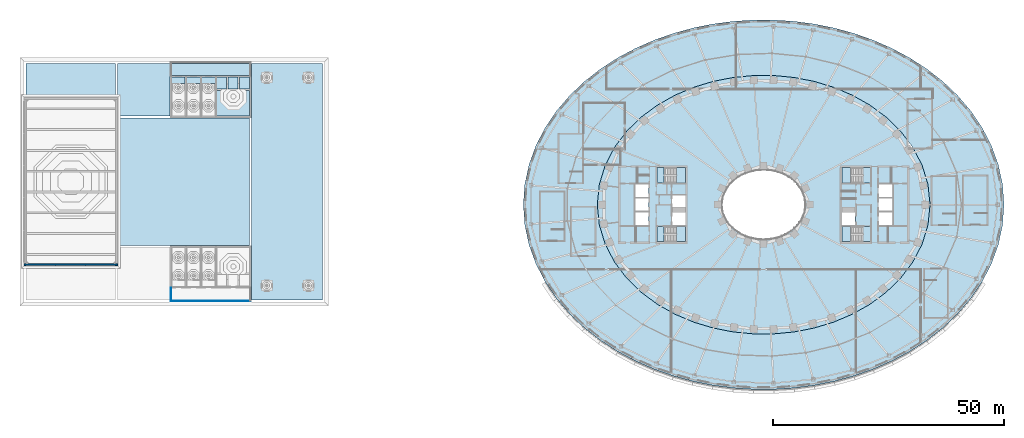
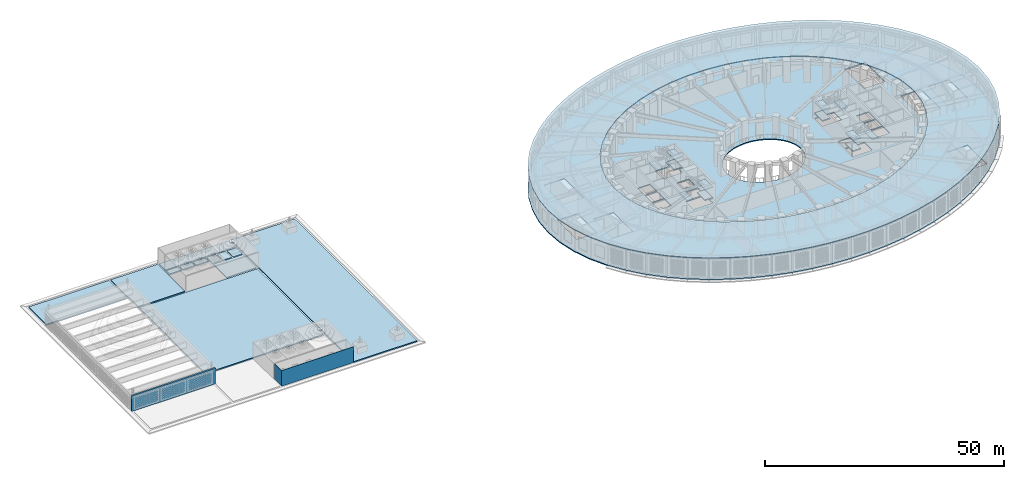
# One storey, part 6 of 63: 26 slabs, 3 walls, 4 elements without a shape of their own.
"""IFC4 building model written with IfcOpenShell, lengths in metres."""

import ifcopenshell
import ifcopenshell.guid

model = None  # the IFC model being written
_history = None  # IfcOwnerHistory: only IFC2X3 demands one
_inside = {}  # id of a spatial element -> (the spatial element, [elements in it])
_under = {}  # id of a project, library or spatial element -> (it, [spatial elements below it])
_declared = {}  # id of a project -> (the project, [libraries it declares])
_typed = {}  # id of a type object -> (the type object, [elements of that type])
_made_of = {}  # id of a material, layer set ... -> (it, [elements and type objects made of it])


def new_model(schema):
    """Start an empty IFC model of exactly this schema.

    Asked for "IFC4X3", IfcOpenShell would pick the latest addendum, in which some entities
    have other attributes; the version numbers below select the first issue.
    IFC2X3 requires an IfcOwnerHistory on every rooted entity: one is made here for all.
    """
    global model, _history
    if schema == "IFC4X3":
        model = ifcopenshell.file(schema_version=(4, 3, 0, 0))
    else:
        model = ifcopenshell.file(schema=schema)
    _inside.clear()
    _under.clear()
    _declared.clear()
    _typed.clear()
    _made_of.clear()
    _history = None
    if model.schema == "IFC2X3":
        org = make("IfcOrganization", Name="unknown")
        user = make(
            "IfcPersonAndOrganization",
            ThePerson=make("IfcPerson", FamilyName="unknown"),
            TheOrganization=org,
        )
        app = make(
            "IfcApplication",
            ApplicationDeveloper=org,
            Version="unknown",
            ApplicationFullName="unknown",
            ApplicationIdentifier="unknown",
        )
        _history = make(
            "IfcOwnerHistory",
            OwningUser=user,
            OwningApplication=app,
            ChangeAction="ADDED",
            CreationDate=0,
        )
    return model


def make(cls, **values):
    """One entity of the class cls with the attributes given. An attribute that is None is left unset."""
    return model.create_entity(
        cls, **{name: value for name, value in values.items() if value is not None}
    )


def rooted(cls, **values):
    """An entity with a GlobalId (a new one), such as an element, a storey or a relation."""
    return make(cls, GlobalId=ifcopenshell.guid.new(), OwnerHistory=_history, **values)


def si_unit(unit_type, name, prefix=None):
    """IfcSIUnit, for example si_unit("LENGTHUNIT", "METRE", prefix="MILLI")."""
    return make("IfcSIUnit", UnitType=unit_type, Prefix=prefix, Name=name)


def assignment(units):
    """IfcUnitAssignment: the units of a project."""
    return None if units is None else make("IfcUnitAssignment", Units=units)


def point(xyz):
    """IfcCartesianPoint."""
    return None if xyz is None else make("IfcCartesianPoint", Coordinates=xyz)


def direction(xyz):
    """IfcDirection."""
    return None if xyz is None else make("IfcDirection", DirectionRatios=xyz)


def frame(location, z_axis=None, x_axis=None):
    """IfcAxis2Placement3D, a coordinate frame: its origin and axes. An axis left out is left unset."""
    return make(
        "IfcAxis2Placement3D",
        Location=point(location),
        Axis=direction(z_axis),
        RefDirection=direction(x_axis),
    )


def frame_2d(location, x_axis=None):
    """IfcAxis2Placement2D, a coordinate frame in the plane: its origin and x axis."""
    return make(
        "IfcAxis2Placement2D", Location=point(location), RefDirection=direction(x_axis)
    )


def origin():
    """The frame at (0, 0, 0) with its axes left unset."""
    return frame((0.0, 0.0, 0.0))


def place(relative_to, where):
    """IfcLocalPlacement: puts the frame where relative to a parent placement (None: the world)."""
    return make(
        "IfcLocalPlacement", PlacementRelTo=relative_to, RelativePlacement=where
    )


def context(
    kind, dimensions, precision=None, world=None, true_north=None, identifier=None
):
    """IfcGeometricRepresentationContext, for example the 3D "Model" context."""
    return make(
        "IfcGeometricRepresentationContext",
        ContextIdentifier=identifier,
        ContextType=kind,
        CoordinateSpaceDimension=dimensions,
        Precision=precision,
        WorldCoordinateSystem=world,
        TrueNorth=true_north,
    )


def subcontext(parent, identifier, kind, view, scale=None):
    """IfcGeometricRepresentationSubContext, for example "Body" below "Model"."""
    return make(
        "IfcGeometricRepresentationSubContext",
        ContextIdentifier=identifier,
        ContextType=kind,
        ParentContext=parent,
        TargetScale=scale,
        TargetView=view,
    )


def project(units=None, contexts=None):
    """IfcProject with its units and contexts."""
    return rooted(
        "IfcProject",
        Name="project",
        RepresentationContexts=contexts,
        UnitsInContext=assignment(units),
    )


def spatial(cls, under=None, at=None, **own):
    """A site, building, storey or space (cls), placed at a placement, below another one or the project."""
    s = rooted(cls, ObjectPlacement=at, **own)
    if under is not None:
        _under.setdefault(under.id(), (under, []))[1].append(s)
    return s


def polyline(points):
    """IfcPolyline through the points."""
    return make("IfcPolyline", Points=[point(p) for p in points])


def profile(cls, at=None, kind="AREA", **sizes):
    """A parametric profile (cls). Its sizes go by their IFC names, for example OverallWidth=200.0."""
    return make(cls, ProfileType=kind, Position=at, **sizes)


def rectangle(**sizes):
    """IfcRectangleProfileDef."""
    return profile("IfcRectangleProfileDef", **sizes)


def outline(outer, holes=None, kind="AREA"):
    """IfcArbitraryClosedProfileDef: a profile drawn as a closed curve; with holes, ...WithVoids."""
    if holes is None:
        return make("IfcArbitraryClosedProfileDef", ProfileType=kind, OuterCurve=outer)
    return make(
        "IfcArbitraryProfileDefWithVoids",
        ProfileType=kind,
        OuterCurve=outer,
        InnerCurves=holes,
    )


def extrude(swept, where, along, depth):
    """IfcExtrudedAreaSolid: the profile swept, set in the frame where, extruded along a direction by depth."""
    return make(
        "IfcExtrudedAreaSolid",
        SweptArea=swept,
        Position=where,
        ExtrudedDirection=direction(along),
        Depth=depth,
    )


def shape(context_of_items, identifier, shape_type, items):
    """IfcShapeRepresentation: the items that make up one representation, for example the "Body"."""
    return make(
        "IfcShapeRepresentation",
        ContextOfItems=context_of_items,
        RepresentationIdentifier=identifier,
        RepresentationType=shape_type,
        Items=items,
    )


def material(Name=None, Category=None):
    """IfcMaterial."""
    return make("IfcMaterial", Name=Name, Category=Category)


def layer(
    of_material, thickness, ventilated=None, Name=None, Category=None, Priority=None
):
    """IfcMaterialLayer: one layer of a wall or slab, of a material (None: an air gap)."""
    return make(
        "IfcMaterialLayer",
        Material=of_material,
        LayerThickness=thickness,
        IsVentilated=ventilated,
        Name=Name,
        Category=Category,
        Priority=Priority,
    )


def layer_set(layers, Name=None):
    """IfcMaterialLayerSet."""
    return make("IfcMaterialLayerSet", MaterialLayers=layers, LayerSetName=Name)


def made_of(thing, what):
    """Note that an element or type object is made of a material, layer set ...; save() writes the relation."""
    if what is not None:
        _made_of.setdefault(what.id(), (what, []))[1].append(thing)
    return thing


def type_object(cls, material=None, **own):
    """A type object (cls), such as IfcWallType, which elements share."""
    return made_of(rooted(cls, **own), material)


def element(
    cls,
    number,
    at=None,
    inside=None,
    cuts=None,
    type_object=None,
    material=None,
    context=None,
    identifier="Body",
    shape_type=None,
    held_by="IfcProductDefinitionShape",
    body=None,
    shapes=None,
    **own,
):
    """One element of the class cls, such as IfcWall. Its Tag is "e" and its number.

    at: its placement. inside: the storey or other place that contains it. cuts: it is an
    opening in that element (IfcRelVoidsElement). A single representation is given by context,
    identifier, shape_type and body (its items); several are given by shapes. held_by: the class
    of the entity that holds the representations. save() writes the other relations.
    """
    e = rooted(cls, Tag="e%d" % number, ObjectPlacement=at, **own)
    if body is not None:
        shapes = [shape(context, identifier, shape_type, body)]
    if shapes is not None:
        e.Representation = make(held_by, Representations=shapes)
    if inside is not None:
        _inside.setdefault(inside.id(), (inside, []))[1].append(e)
    if cuts is not None:
        rooted(
            "IfcRelVoidsElement", RelatingBuildingElement=cuts, RelatedOpeningElement=e
        )
    if type_object is not None:
        _typed.setdefault(type_object.id(), (type_object, []))[1].append(e)
    return made_of(e, material)


def aggregate(whole, parts):
    """IfcRelAggregates: a whole, such as a stair, and the parts it consists of."""
    return rooted("IfcRelAggregates", RelatingObject=whole, RelatedObjects=parts)


def save(model, path):
    """Write the relations noted so far, then the file.

    IfcRelAggregates (storeys below a building ...), IfcRelContainedInSpatialStructure (elements
    in a storey), IfcRelDefinesByType, IfcRelAssociatesMaterial and IfcRelDeclares: one each for
    every whole, place, type object, material and project.
    """
    for whole, parts in _under.values():
        aggregate(whole, parts)
    for where, things in _inside.values():
        rooted(
            "IfcRelContainedInSpatialStructure",
            RelatedElements=things,
            RelatingStructure=where,
        )
    for kind, things in _typed.values():
        rooted("IfcRelDefinesByType", RelatedObjects=things, RelatingType=kind)
    for what, things in _made_of.values():
        rooted("IfcRelAssociatesMaterial", RelatedObjects=things, RelatingMaterial=what)
    for by, libraries in _declared.values():
        rooted("IfcRelDeclares", RelatingContext=by, RelatedDefinitions=libraries)
    model.write(path)


model = new_model("IFC4")

# Units and contexts
model_context = context("Model", 3, precision=1e-05, world=origin(), true_north=direction((0.0, 1.0)))
body_context = subcontext(model_context, "Body", "Model", "MODEL_VIEW")
ifc_project = project(units=[si_unit("LENGTHUNIT", "METRE"), si_unit("AREAUNIT", "SQUARE_METRE"), si_unit("VOLUMEUNIT", "CUBIC_METRE"), si_unit("PLANEANGLEUNIT", "RADIAN"), si_unit("MASSUNIT", "GRAM", prefix="KILO")], contexts=[model_context])

# Site, building, storey
site_placement = place(None, origin())
site = spatial("IfcSite", under=ifc_project, at=site_placement, CompositionType="ELEMENT")
building_placement = place(site_placement, origin())
building = spatial("IfcBuilding", under=site, at=building_placement, Name="Noorbagh Ring Tower", CompositionType="ELEMENT")
storey_placement = place(building_placement, frame((0.0, 0.0, 25.0)))
storey = spatial("IfcBuildingStorey", under=building, at=storey_placement, Name="L04", CompositionType="ELEMENT", Elevation=25.0)

# Stair, slabs
ifc_material_1 = material(Name="Concrete C40/50", Category="concrete")
stair_type = type_object("IfcStairType", Name="CORE-STAIR", PredefinedType="HALF_TURN_STAIR", material=ifc_material_1)
stair_1_placement = place(storey_placement, origin())
stair_1 = element("IfcStair", 1, at=stair_1_placement, inside=storey, type_object=stair_type, Name="L04 Exit stair ST1", PredefinedType="HALF_TURN_STAIR")
ifc_material_2 = material(Name="Concrete C40/50", Category="concrete")
ifc_layer_1 = layer(ifc_material_2, 0.300048828125)
ifc_layer_set_1 = layer_set([ifc_layer_1], Name="Concrete C40/50")
slab_type_1 = type_object("IfcSlabType", Name="CORE-STAIR-LANDING", PredefinedType="LANDING", material=ifc_layer_set_1)
slab_1_placement = place(storey_placement, frame((0.0, 0.0, 1.074951171875)))
slab_1 = element("IfcSlab", 2, at=slab_1_placement, type_object=slab_type_1, Name="ST1 landing 1", PredefinedType="LANDING", context=body_context, shape_type="SweptSolid", body=[
    extrude(outline(polyline([(-18.81005859375, 4.75), (-16.89990234375, 4.75), (-16.89990234375, 8.0), (-18.81005859375, 8.0), (-18.81005859375, 4.75)])), origin(), (0.0, 0.0, 1.0), 0.300048828125),
])
slab_2_placement = place(storey_placement, frame((0.0, 0.0, 2.449951171875)))
slab_2 = element("IfcSlab", 3, at=slab_2_placement, type_object=slab_type_1, Name="ST1 landing 2", PredefinedType="LANDING", context=body_context, shape_type="SweptSolid", body=[
    extrude(outline(polyline([(-23.080078125, 4.75), (-21.530029296875, 4.75), (-21.530029296875, 8.0), (-23.080078125, 8.0), (-23.080078125, 4.75)])), origin(), (0.0, 0.0, 1.0), 0.300048828125),
])
slab_3_placement = place(storey_placement, frame((0.0, 0.0, 3.824951171875)))
slab_3 = element("IfcSlab", 4, at=slab_3_placement, type_object=slab_type_1, Name="ST1 landing 3", PredefinedType="LANDING", context=body_context, shape_type="SweptSolid", body=[
    extrude(outline(polyline([(-18.81005859375, 4.75), (-16.89990234375, 4.75), (-16.89990234375, 8.0), (-18.81005859375, 8.0), (-18.81005859375, 4.75)])), origin(), (0.0, 0.0, 1.0), 0.300048828125),
])
aggregate(stair_1, [slab_1, slab_2, slab_3])

stair_2_placement = place(storey_placement, origin())
stair_2 = element("IfcStair", 5, at=stair_2_placement, inside=storey, type_object=stair_type, Name="L04 Exit stair ST2", PredefinedType="HALF_TURN_STAIR")
slab_4_placement = place(storey_placement, frame((0.0, 0.0, 1.074951171875)))
slab_4 = element("IfcSlab", 6, at=slab_4_placement, type_object=slab_type_1, Name="ST2 landing 1", PredefinedType="LANDING", context=body_context, shape_type="SweptSolid", body=[
    extrude(outline(polyline([(-18.81005859375, -8.0), (-16.89990234375, -8.0), (-16.89990234375, -4.75), (-18.81005859375, -4.75), (-18.81005859375, -8.0)])), origin(), (0.0, 0.0, 1.0), 0.300048828125),
])
slab_5_placement = place(storey_placement, frame((0.0, 0.0, 2.449951171875)))
slab_5 = element("IfcSlab", 7, at=slab_5_placement, type_object=slab_type_1, Name="ST2 landing 2", PredefinedType="LANDING", context=body_context, shape_type="SweptSolid", body=[
    extrude(outline(polyline([(-23.080078125, -8.0), (-21.530029296875, -8.0), (-21.530029296875, -4.75), (-23.080078125, -4.75), (-23.080078125, -8.0)])), origin(), (0.0, 0.0, 1.0), 0.300048828125),
])
slab_6_placement = place(storey_placement, frame((0.0, 0.0, 3.824951171875)))
slab_6 = element("IfcSlab", 8, at=slab_6_placement, type_object=slab_type_1, Name="ST2 landing 3", PredefinedType="LANDING", context=body_context, shape_type="SweptSolid", body=[
    extrude(outline(polyline([(-18.81005859375, -8.0), (-16.89990234375, -8.0), (-16.89990234375, -4.75), (-18.81005859375, -4.75), (-18.81005859375, -8.0)])), origin(), (0.0, 0.0, 1.0), 0.300048828125),
])
aggregate(stair_2, [slab_4, slab_5, slab_6])

stair_3_placement = place(storey_placement, origin())
stair_3 = element("IfcStair", 9, at=stair_3_placement, inside=storey, type_object=stair_type, Name="L04 Exit stair ST3", PredefinedType="HALF_TURN_STAIR")
slab_7_placement = place(storey_placement, frame((0.0, 0.0, 1.074951171875)))
slab_7 = element("IfcSlab", 10, at=slab_7_placement, type_object=slab_type_1, Name="ST3 landing 1", PredefinedType="LANDING", context=body_context, shape_type="SweptSolid", body=[
    extrude(outline(polyline([(18.81005859375, 8.0), (16.89990234375, 8.0), (16.89990234375, 4.75), (18.81005859375, 4.75), (18.81005859375, 8.0)])), origin(), (0.0, 0.0, 1.0), 0.300048828125),
])
slab_8_placement = place(storey_placement, frame((0.0, 0.0, 2.449951171875)))
slab_8 = element("IfcSlab", 11, at=slab_8_placement, type_object=slab_type_1, Name="ST3 landing 2", PredefinedType="LANDING", context=body_context, shape_type="SweptSolid", body=[
    extrude(outline(polyline([(23.080078125, 8.0), (21.530029296875, 8.0), (21.530029296875, 4.75), (23.080078125, 4.75), (23.080078125, 8.0)])), origin(), (0.0, 0.0, 1.0), 0.300048828125),
])
slab_9_placement = place(storey_placement, frame((0.0, 0.0, 3.824951171875)))
slab_9 = element("IfcSlab", 12, at=slab_9_placement, type_object=slab_type_1, Name="ST3 landing 3", PredefinedType="LANDING", context=body_context, shape_type="SweptSolid", body=[
    extrude(outline(polyline([(18.81005859375, 8.0), (16.89990234375, 8.0), (16.89990234375, 4.75), (18.81005859375, 4.75), (18.81005859375, 8.0)])), origin(), (0.0, 0.0, 1.0), 0.300048828125),
])
aggregate(stair_3, [slab_7, slab_8, slab_9])

stair_4_placement = place(storey_placement, origin())
stair_4 = element("IfcStair", 13, at=stair_4_placement, inside=storey, type_object=stair_type, Name="L04 Exit stair ST4", PredefinedType="HALF_TURN_STAIR")
slab_10_placement = place(storey_placement, frame((0.0, 0.0, 1.074951171875)))
slab_10 = element("IfcSlab", 14, at=slab_10_placement, type_object=slab_type_1, Name="ST4 landing 1", PredefinedType="LANDING", context=body_context, shape_type="SweptSolid", body=[
    extrude(outline(polyline([(18.81005859375, -4.75), (16.89990234375, -4.75), (16.89990234375, -8.0), (18.81005859375, -8.0), (18.81005859375, -4.75)])), origin(), (0.0, 0.0, 1.0), 0.300048828125),
])
slab_11_placement = place(storey_placement, frame((0.0, 0.0, 2.449951171875)))
slab_11 = element("IfcSlab", 15, at=slab_11_placement, type_object=slab_type_1, Name="ST4 landing 2", PredefinedType="LANDING", context=body_context, shape_type="SweptSolid", body=[
    extrude(outline(polyline([(23.080078125, -4.75), (21.530029296875, -4.75), (21.530029296875, -8.0), (23.080078125, -8.0), (23.080078125, -4.75)])), origin(), (0.0, 0.0, 1.0), 0.300048828125),
])
slab_12_placement = place(storey_placement, frame((0.0, 0.0, 3.824951171875)))
slab_12 = element("IfcSlab", 16, at=slab_12_placement, type_object=slab_type_1, Name="ST4 landing 3", PredefinedType="LANDING", context=body_context, shape_type="SweptSolid", body=[
    extrude(outline(polyline([(18.81005859375, -4.75), (16.89990234375, -4.75), (16.89990234375, -8.0), (18.81005859375, -8.0), (18.81005859375, -4.75)])), origin(), (0.0, 0.0, 1.0), 0.300048828125),
])
aggregate(stair_4, [slab_10, slab_11, slab_12])

# Slabs
ifc_material_3 = material(Name="Concrete C40/50", Category="concrete")
ifc_layer_2 = layer(ifc_material_3, 0.25)
ifc_layer_set_2 = layer_set([ifc_layer_2], Name="Concrete C40/50")
slab_type_2 = type_object("IfcSlabType", Name="STR-PODIUM-DECK-250", PredefinedType="FLOOR", material=ifc_layer_set_2)
slab_13_placement = place(storey_placement, frame((0.0, 0.0, -0.25)))
element("IfcSlab", 17, at=slab_13_placement, inside=storey, type_object=slab_type_2, Name="L04/slab/1", PredefinedType="FLOOR", context=body_context, shape_type="SweptSolid", body=[
    extrude(outline(polyline([(52.0, 0.0), (51.68701171875, 4.383056640625), (50.76123046875, 8.6787109375), (49.261474609375, 12.809326171875), (47.2431640625, 16.713623046875), (44.769775390625, 20.346923828125), (41.906494140625, 23.682373046875), (38.71435546875, 26.70458984375), (35.247802734375, 29.408447265625), (31.5546875, 31.793701171875), (27.676025390625, 33.864013671875), (23.647216796875, 35.624755859375), (19.49853515625, 37.08154296875), (15.2568359375, 38.239501953125), (10.945556640625, 39.103759765625), (6.586181640625, 39.677734375), (2.198486328125, 39.964111328125), (-2.198486328125, 39.964111328125), (-6.586181640625, 39.677734375), (-10.945556640625, 39.103759765625), (-15.2568359375, 38.239501953125), (-19.49853515625, 37.08154296875), (-23.647216796875, 35.624755859375), (-27.676025390625, 33.864013671875), (-31.5546875, 31.793701171875), (-35.247802734375, 29.408447265625), (-38.71435546875, 26.70458984375), (-41.906494140625, 23.682373046875), (-44.769775390625, 20.346923828125), (-47.2431640625, 16.713623046875), (-49.261474609375, 12.809326171875), (-50.76123046875, 8.6787109375), (-51.68701171875, 4.383056640625), (-52.0, 0.0), (-51.68701171875, -4.383056640625), (-50.76123046875, -8.6787109375), (-49.261474609375, -12.809326171875), (-47.2431640625, -16.713623046875), (-44.769775390625, -20.346923828125), (-41.906494140625, -23.682373046875), (-38.71435546875, -26.70458984375), (-35.247802734375, -29.408447265625), (-31.5546875, -31.793701171875), (-27.676025390625, -33.864013671875), (-23.647216796875, -35.624755859375), (-19.49853515625, -37.08154296875), (-15.2568359375, -38.239501953125), (-10.945556640625, -39.103759765625), (-6.586181640625, -39.677734375), (-2.198486328125, -39.964111328125), (2.198486328125, -39.964111328125), (6.586181640625, -39.677734375), (10.945556640625, -39.103759765625), (15.2568359375, -38.239501953125), (19.49853515625, -37.08154296875), (23.647216796875, -35.624755859375), (27.676025390625, -33.864013671875), (31.5546875, -31.793701171875), (35.247802734375, -29.408447265625), (38.71435546875, -26.70458984375), (41.906494140625, -23.682373046875), (44.769775390625, -20.346923828125), (47.2431640625, -16.713623046875), (49.261474609375, -12.809326171875), (50.76123046875, -8.6787109375), (51.68701171875, -4.383056640625), (52.0, 0.0)]), holes=[polyline([(43.300048828125, 6.199951171875), (48.25, 6.199951171875), (48.25, -1.799560546875), (43.300048828125, -1.799560546875), (43.300048828125, 6.199951171875)]), polyline([(36.5, 6.10009765625), (41.449951171875, 6.10009765625), (41.449951171875, -1.8994140625), (36.5, -1.8994140625), (36.5, 6.10009765625)]), polyline([(39.75, -16.400390625), (39.75, -24.39990234375), (34.800048828125, -24.39990234375), (34.800048828125, -16.400390625), (39.75, -16.400390625)]), polyline([(36.25, 12.300048828125), (31.300048828125, 12.300048828125), (31.300048828125, 20.299560546875), (36.25, 20.299560546875), (36.25, 12.300048828125)]), polyline([(27.800048828125, -1.60009765625), (27.800048828125, -4.449951171875), (24.89990234375, -4.449951171875), (24.89990234375, -1.60009765625), (27.800048828125, -1.60009765625)]), polyline([(24.89990234375, 4.449951171875), (27.800048828125, 4.449951171875), (27.800048828125, 1.60009765625), (24.89990234375, 1.60009765625), (24.89990234375, 4.449951171875)]), polyline([(24.89990234375, 1.35009765625), (27.800048828125, 1.35009765625), (27.800048828125, -1.35009765625), (24.89990234375, -1.35009765625), (24.89990234375, 1.35009765625)]), polyline([(21.529541015625, -8.0), (16.89990234375, -8.0), (16.89990234375, -4.75), (21.529541015625, -4.75), (21.529541015625, -8.0)]), polyline([(16.89990234375, 4.75), (16.89990234375, 8.0), (21.529541015625, 8.0), (21.529541015625, 4.75), (16.89990234375, 4.75)]), polyline([(19.800048828125, -1.699951171875), (19.800048828125, -4.449951171875), (16.89990234375, -4.449951171875), (16.89990234375, -1.699951171875), (19.800048828125, -1.699951171875)]), polyline([(4.697509765625, -6.3974609375), (3.196533203125, -7.010986328125), (1.6171875, -7.3779296875), (0.0, -7.5), (-1.6171875, -7.3779296875), (-3.196533203125, -7.010986328125), (-4.697509765625, -6.3974609375), (-6.071044921875, -5.53662109375), (-7.2587890625, -4.43408203125), (-8.1904296875, -3.10888671875), (-8.79150390625, -1.605224609375), (-9.0, 0.0), (-8.79150390625, 1.605224609375), (-8.1904296875, 3.10888671875), (-7.2587890625, 4.43408203125), (-6.071044921875, 5.53662109375), (-4.697509765625, 6.3974609375), (-3.196533203125, 7.010986328125), (-1.6171875, 7.3779296875), (0.0, 7.5), (1.6171875, 7.3779296875), (3.196533203125, 7.010986328125), (4.697509765625, 6.3974609375), (6.071044921875, 5.53662109375), (7.2587890625, 4.43408203125), (8.1904296875, 3.10888671875), (8.79150390625, 1.605224609375), (9.0, 0.0), (8.79150390625, -1.605224609375), (8.1904296875, -3.10888671875), (7.2587890625, -4.43408203125), (6.071044921875, -5.53662109375), (4.697509765625, -6.3974609375)]), polyline([(-16.89990234375, 8.0), (-16.89990234375, 4.75), (-21.529541015625, 4.75), (-21.529541015625, 8.0), (-16.89990234375, 8.0)]), polyline([(-16.89990234375, -0.449951171875), (-19.800048828125, -0.449951171875), (-19.800048828125, 2.0), (-16.89990234375, 2.0), (-16.89990234375, -0.449951171875)]), polyline([(-16.89990234375, -4.449951171875), (-19.800048828125, -4.449951171875), (-19.800048828125, -1.699951171875), (-16.89990234375, -1.699951171875), (-16.89990234375, -4.449951171875)]), polyline([(-21.529541015625, -4.75), (-16.89990234375, -4.75), (-16.89990234375, -8.0), (-21.529541015625, -8.0), (-21.529541015625, -4.75)]), polyline([(-24.89990234375, -1.35009765625), (-27.800048828125, -1.35009765625), (-27.800048828125, 1.35009765625), (-24.89990234375, 1.35009765625), (-24.89990234375, -1.35009765625)]), polyline([(-27.800048828125, 1.60009765625), (-27.800048828125, 4.449951171875), (-24.89990234375, 4.449951171875), (-24.89990234375, 1.60009765625), (-27.800048828125, 1.60009765625)]), polyline([(-27.800048828125, -4.449951171875), (-27.800048828125, -1.60009765625), (-24.89990234375, -1.60009765625), (-24.89990234375, -4.449951171875), (-27.800048828125, -4.449951171875)]), polyline([(-41.5, -8.599609375), (-41.5, -0.60009765625), (-36.550048828125, -0.60009765625), (-36.550048828125, -8.599609375), (-41.5, -8.599609375)]), polyline([(-44.199951171875, 7.200439453125), (-44.199951171875, 15.199951171875), (-39.25, 15.199951171875), (-39.25, 7.200439453125), (-44.199951171875, 7.200439453125)]), polyline([(-48.199951171875, 2.699951171875), (-43.25, 2.699951171875), (-43.25, -5.299560546875), (-48.199951171875, -5.299560546875), (-48.199951171875, 2.699951171875)])]), origin(), (0.0, 0.0, 1.0), 0.25),
])
ifc_material_4 = material(Name="Concrete C40/50", Category="concrete")
ifc_layer_3 = layer(ifc_material_4, 0.199951171875)
ifc_layer_set_3 = layer_set([ifc_layer_3], Name="Concrete C40/50")
slab_type_3 = type_object("IfcSlabType", Name="STR-TERRACE-DECK-200", PredefinedType="FLOOR", material=ifc_layer_set_3)
slab_14_placement = place(storey_placement, frame((0.0, 0.0, 5.300048828125)))
element("IfcSlab", 18, at=slab_14_placement, inside=storey, type_object=slab_type_3, Name="L04/slab/terrace-1", PredefinedType="FLOOR", context=body_context, shape_type="SweptSolid", body=[
    extrude(outline(polyline([(52.0, 0.0), (51.68701171875, 4.383056640625), (50.76123046875, 8.6787109375), (49.261474609375, 12.809326171875), (47.2431640625, 16.713623046875), (44.769775390625, 20.346923828125), (41.906494140625, 23.682373046875), (38.71435546875, 26.70458984375), (35.247802734375, 29.408447265625), (31.5546875, 31.793701171875), (27.676025390625, 33.864013671875), (23.647216796875, 35.624755859375), (19.49853515625, 37.08154296875), (15.2568359375, 38.239501953125), (10.945556640625, 39.103759765625), (6.586181640625, 39.677734375), (2.198486328125, 39.964111328125), (-2.198486328125, 39.964111328125), (-6.586181640625, 39.677734375), (-10.945556640625, 39.103759765625), (-15.2568359375, 38.239501953125), (-19.49853515625, 37.08154296875), (-23.647216796875, 35.624755859375), (-27.676025390625, 33.864013671875), (-31.5546875, 31.793701171875), (-35.247802734375, 29.408447265625), (-38.71435546875, 26.70458984375), (-41.906494140625, 23.682373046875), (-44.769775390625, 20.346923828125), (-47.2431640625, 16.713623046875), (-49.261474609375, 12.809326171875), (-50.76123046875, 8.6787109375), (-51.68701171875, 4.383056640625), (-52.0, 0.0), (-51.68701171875, -4.383056640625), (-50.76123046875, -8.6787109375), (-49.261474609375, -12.809326171875), (-47.2431640625, -16.713623046875), (-44.769775390625, -20.346923828125), (-41.906494140625, -23.682373046875), (-38.71435546875, -26.70458984375), (-35.247802734375, -29.408447265625), (-31.5546875, -31.793701171875), (-27.676025390625, -33.864013671875), (-23.647216796875, -35.624755859375), (-19.49853515625, -37.08154296875), (-15.2568359375, -38.239501953125), (-10.945556640625, -39.103759765625), (-6.586181640625, -39.677734375), (-2.198486328125, -39.964111328125), (2.198486328125, -39.964111328125), (6.586181640625, -39.677734375), (10.945556640625, -39.103759765625), (15.2568359375, -38.239501953125), (19.49853515625, -37.08154296875), (23.647216796875, -35.624755859375), (27.676025390625, -33.864013671875), (31.5546875, -31.793701171875), (35.247802734375, -29.408447265625), (38.71435546875, -26.70458984375), (41.906494140625, -23.682373046875), (44.769775390625, -20.346923828125), (47.2431640625, -16.713623046875), (49.261474609375, -12.809326171875), (50.76123046875, -8.6787109375), (51.68701171875, -4.383056640625), (52.0, 0.0)]), holes=[polyline([(36.0, 0.0), (35.56103515625, -4.358642578125), (34.281005859375, -8.548828125), (32.255126953125, -12.434814453125), (29.607666015625, -15.92822265625), (26.463134765625, -18.983154296875), (22.9326171875, -21.583740234375), (19.108154296875, -23.730224609375), (15.0654296875, -25.430419921875), (10.865234375, -26.6943359375), (6.5595703125, -27.53125), (2.193115234375, -27.947998046875), (-2.193115234375, -27.947998046875), (-6.5595703125, -27.53125), (-10.865234375, -26.6943359375), (-15.0654296875, -25.430419921875), (-19.108154296875, -23.730224609375), (-22.9326171875, -21.583740234375), (-26.463134765625, -18.983154296875), (-29.607666015625, -15.92822265625), (-32.255126953125, -12.434814453125), (-34.281005859375, -8.548828125), (-35.56103515625, -4.358642578125), (-36.0, 0.0), (-35.56103515625, 4.358642578125), (-34.281005859375, 8.548828125), (-32.255126953125, 12.434814453125), (-29.607666015625, 15.92822265625), (-26.463134765625, 18.983154296875), (-22.9326171875, 21.583740234375), (-19.108154296875, 23.730224609375), (-15.0654296875, 25.430419921875), (-10.865234375, 26.6943359375), (-6.5595703125, 27.53125), (-2.193115234375, 27.947998046875), (2.193115234375, 27.947998046875), (6.5595703125, 27.53125), (10.865234375, 26.6943359375), (15.0654296875, 25.430419921875), (19.108154296875, 23.730224609375), (22.9326171875, 21.583740234375), (26.463134765625, 18.983154296875), (29.607666015625, 15.92822265625), (32.255126953125, 12.434814453125), (34.281005859375, 8.548828125), (35.56103515625, 4.358642578125), (36.0, 0.0)])]), origin(), (0.0, 0.0, 1.0), 0.199951171875),
])
ifc_material_5 = material(Name="Concrete C40/50", Category="concrete")
ifc_layer_4 = layer(ifc_material_5, 0.300048828125)
ifc_layer_set_4 = layer_set([ifc_layer_4], Name="Concrete C40/50")
slab_type_4 = type_object("IfcSlabType", Name="TH-SLAB-FLOOR", PredefinedType="FLOOR", material=ifc_layer_set_4)
slab_15_placement = place(storey_placement, frame((0.0, 0.0, -0.300048828125)))
element("IfcSlab", 19, at=slab_15_placement, inside=storey, type_object=slab_type_4, Name="Floor slab", PredefinedType="FLOOR", context=body_context, shape_type="SweptSolid", body=[
    extrude(outline(polyline([(-139.800048828125, 30.60009765625), (-139.800048828125, 23.199951171875), (-139.699951171875, 23.199951171875), (-139.699951171875, 22.800048828125), (-139.699951171875, 19.199951171875), (-128.39990234375, 19.199951171875), (-128.39990234375, 27.64990234375), (-128.39990234375, 27.949951171875), (-128.39990234375, 30.60009765625), (-139.800048828125, 30.60009765625)])), origin(), (0.0, 0.0, 1.0), 0.300048828125),
])
slab_16_placement = place(storey_placement, frame((0.0, 0.0, -0.300048828125)))
element("IfcSlab", 20, at=slab_16_placement, inside=storey, type_object=slab_type_4, Name="Floor slab", PredefinedType="FLOOR", context=body_context, shape_type="SweptSolid", body=[
    extrude(outline(polyline([(-125.14990234375, 27.64990234375), (-128.10009765625, 27.64990234375), (-128.10009765625, 26.24951171875), (-125.14990234375, 26.24951171875), (-125.14990234375, 27.64990234375)])), origin(), (0.0, 0.0, 1.0), 0.300048828125),
])
slab_17_placement = place(storey_placement, frame((0.0, 0.0, -0.300048828125)))
element("IfcSlab", 21, at=slab_17_placement, inside=storey, type_object=slab_type_4, Name="Floor slab", PredefinedType="FLOOR", context=body_context, shape_type="SweptSolid", body=[
    extrude(outline(polyline([(-111.199951171875, 18.800048828125), (-139.699951171875, 18.800048828125), (-139.699951171875, -8.800048828125), (-111.199951171875, -8.800048828125), (-111.199951171875, 18.800048828125)])), origin(), (0.0, 0.0, 1.0), 0.300048828125),
])
slab_18_placement = place(storey_placement, frame((0.0, 0.0, -0.300048828125)))
element("IfcSlab", 22, at=slab_18_placement, inside=storey, type_object=slab_type_4, Name="Floor slab", PredefinedType="FLOOR", context=body_context, shape_type="SweptSolid", body=[
    extrude(outline(polyline([(-124.85009765625, 26.24951171875), (-121.89990234375, 26.24951171875), (-121.89990234375, 27.64990234375), (-124.85009765625, 27.64990234375), (-124.85009765625, 26.24951171875)])), origin(), (0.0, 0.0, 1.0), 0.300048828125),
])
slab_19_placement = place(storey_placement, frame((0.0, 0.0, -0.300048828125)))
element("IfcSlab", 23, at=slab_19_placement, inside=storey, type_object=slab_type_4, Name="Floor slab", PredefinedType="FLOOR", context=body_context, shape_type="SweptSolid", body=[
    extrude(outline(polyline([(-118.64990234375, 27.64990234375), (-121.60009765625, 27.64990234375), (-121.60009765625, 26.24951171875), (-118.64990234375, 26.24951171875), (-118.64990234375, 27.64990234375)])), origin(), (0.0, 0.0, 1.0), 0.300048828125),
])
slab_20_placement = place(storey_placement, frame((0.0, 0.0, -0.300048828125)))
element("IfcSlab", 24, at=slab_20_placement, inside=storey, type_object=slab_type_4, Name="Floor slab", PredefinedType="FLOOR", context=body_context, shape_type="SweptSolid", body=[
    extrude(outline(polyline([(-111.199951171875, 27.949951171875), (-111.199951171875, 30.60009765625), (-128.10009765625, 30.60009765625), (-128.10009765625, 27.949951171875), (-111.199951171875, 27.949951171875)])), origin(), (0.0, 0.0, 1.0), 0.300048828125),
])
slab_21_placement = place(storey_placement, frame((0.0, 0.0, -0.300048828125)))
element("IfcSlab", 25, at=slab_21_placement, inside=storey, type_object=slab_type_4, Name="Floor slab", PredefinedType="FLOOR", context=body_context, shape_type="SweptSolid", body=[
    extrude(outline(polyline([(-116.199951171875, 27.64990234375), (-118.35009765625, 27.64990234375), (-118.35009765625, 25.050048828125), (-116.199951171875, 25.050048828125), (-116.199951171875, 27.64990234375)])), origin(), (0.0, 0.0, 1.0), 0.300048828125),
])
slab_22_placement = place(storey_placement, frame((0.0, 0.0, -0.300048828125)))
element("IfcSlab", 26, at=slab_22_placement, inside=storey, type_object=slab_type_4, Name="Floor slab", PredefinedType="FLOOR", context=body_context, shape_type="SweptSolid", body=[
    extrude(outline(polyline([(-113.75, 27.64990234375), (-115.89990234375, 27.64990234375), (-115.89990234375, 25.050048828125), (-113.75, 25.050048828125), (-113.75, 27.64990234375)])), origin(), (0.0, 0.0, 1.0), 0.300048828125),
])
slab_23_placement = place(storey_placement, frame((0.0, 0.0, -0.300048828125)))
element("IfcSlab", 27, at=slab_23_placement, inside=storey, type_object=slab_type_4, Name="Floor slab", PredefinedType="FLOOR", context=body_context, shape_type="SweptSolid", body=[
    extrude(outline(polyline([(-118.35009765625, 19.199951171875), (-111.199951171875, 19.199951171875), (-111.199951171875, 24.75), (-118.35009765625, 24.75), (-118.35009765625, 19.199951171875)])), origin(), (0.0, 0.0, 1.0), 0.300048828125),
])
slab_24_placement = place(storey_placement, frame((0.0, 0.0, -0.300048828125)))
element("IfcSlab", 28, at=slab_24_placement, inside=storey, type_object=slab_type_4, Name="Floor slab", PredefinedType="FLOOR", context=body_context, shape_type="SweptSolid", body=[
    extrude(outline(polyline([(-111.199951171875, 27.64990234375), (-113.449951171875, 27.64990234375), (-113.449951171875, 25.050048828125), (-111.199951171875, 25.050048828125), (-111.199951171875, 27.64990234375)])), origin(), (0.0, 0.0, 1.0), 0.300048828125),
])
slab_25_placement = place(storey_placement, frame((0.0, 0.0, -0.300048828125)))
element("IfcSlab", 29, at=slab_25_placement, inside=storey, type_object=slab_type_4, Name="Floor slab", PredefinedType="FLOOR", context=body_context, shape_type="SweptSolid", body=[
    extrude(outline(polyline([(-95.39990234375, -20.60009765625), (-95.39990234375, 30.60009765625), (-110.800048828125, 30.60009765625), (-110.800048828125, -20.60009765625), (-95.39990234375, -20.60009765625)])), origin(), (0.0, 0.0, 1.0), 0.300048828125),
])
ifc_material_6 = material(Name="Concrete C40/50", Category="concrete")
ifc_layer_5 = layer(ifc_material_6, 0.300048828125)
ifc_layer_set_5 = layer_set([ifc_layer_5], Name="Concrete C40/50")
slab_type_5 = type_object("IfcSlabType", Name="TH-SLAB-ROOF", PredefinedType="ROOF", material=ifc_layer_set_5)
slab_26_placement = place(storey_placement, frame((0.0, 0.0, -0.300048828125)))
element("IfcSlab", 30, at=slab_26_placement, inside=storey, type_object=slab_type_5, Name="Roof slab", PredefinedType="ROOF", context=body_context, shape_type="SweptSolid", body=[
    extrude(outline(polyline([(-159.60009765625, 30.60009765625), (-159.60009765625, 23.199951171875), (-140.199951171875, 23.199951171875), (-140.199951171875, 30.60009765625), (-159.60009765625, 30.60009765625)])), origin(), (0.0, 0.0, 1.0), 0.300048828125),
])

# Walls
ifc_material_7 = material(Name="Gypsum board on steel studs", Category="steel")
ifc_layer_6 = layer(ifc_material_7, 0.10009765625)
ifc_layer_set_6 = layer_set([ifc_layer_6], Name="Gypsum board on steel studs")
wall_type_1 = type_object("IfcWallType", Name="TH-PART-100", PredefinedType="PARTITIONING", material=ifc_layer_set_6)
wall_1_placement = place(storey_placement, frame((-128.300048828125, -20.800048828125, 0.0), z_axis=(0.0, 0.0, 1.0), x_axis=(1.0, 0.0, 0.0)))
element("IfcWall", 31, at=wall_1_placement, inside=storey, type_object=wall_type_1, Name="L04/th-wall/018", PredefinedType="PARTITIONING", context=body_context, shape_type="SweptSolid", body=[
    extrude(rectangle(XDim=17.35009765625, YDim=0.10009765625, at=frame_2d((8.675048828125, 0.0))), origin(), (0.0, 0.0, 1.0), 4.0),
])
wall_2_placement = place(storey_placement, frame((-128.25, -20.75, 0.0), z_axis=(0.0, 0.0, 1.0), x_axis=(0.0, 1.0, 0.0)))
element("IfcWall", 32, at=wall_2_placement, inside=storey, type_object=wall_type_1, Name="L04/th-wall/020", PredefinedType="PARTITIONING", context=body_context, shape_type="SweptSolid", body=[
    extrude(rectangle(XDim=2.800048828125, YDim=0.10009765625, at=frame_2d((1.39990234375, 0.0))), origin(), (0.0, 0.0, 1.0), 4.0),
])
ifc_material_8 = material(Name="Concrete C40/50", Category="concrete")
ifc_layer_7 = layer(ifc_material_8, 0.39990234375)
ifc_layer_set_7 = layer_set([ifc_layer_7], Name="Concrete C40/50")
wall_type_2 = type_object("IfcWallType", Name="TH-WALL-OUTER", PredefinedType="SOLIDWALL", material=ifc_layer_set_7)
wall_3_placement = place(storey_placement, frame((-160.0, -13.0, 0.0), z_axis=(0.0, 0.0, 1.0), x_axis=(1.0, 0.0, 0.0)))
element("IfcWall", 33, at=wall_3_placement, inside=storey, type_object=wall_type_2, Name="Stage house wall south", PredefinedType="SOLIDWALL", context=body_context, shape_type="SweptSolid", body=[
    extrude(rectangle(XDim=20.199951171875, YDim=0.39990234375, at=frame_2d((10.10009765625, 0.0))), origin(), (0.0, 0.0, 1.0), 4.0),
])

save(model, "model.ifc")
